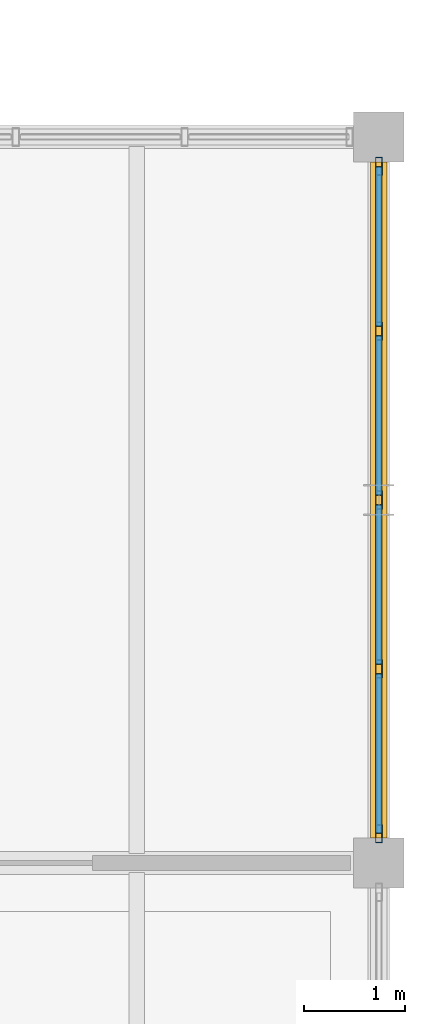
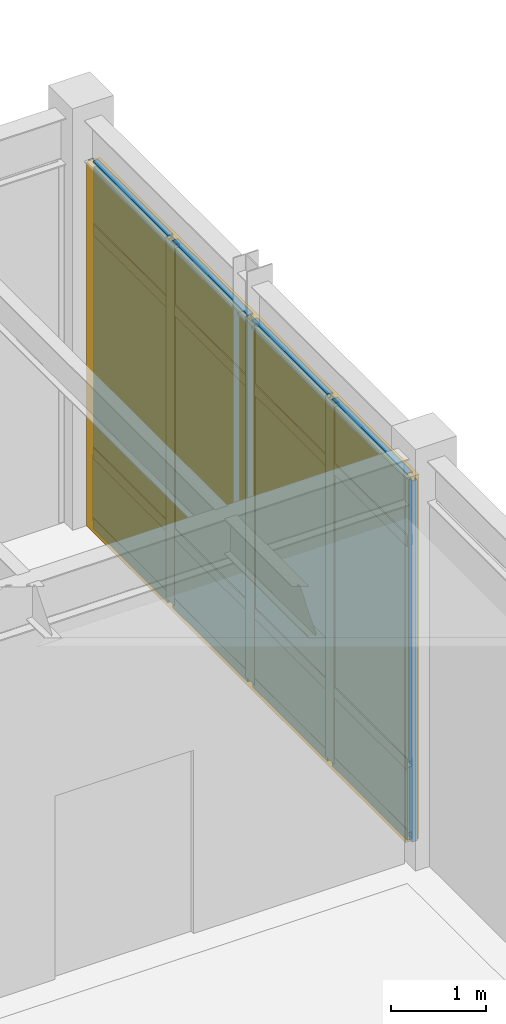
# One storey, part 80 of 97: 21 members, 8 plates, 1 curtain wall.
"""IFC4 building model written with IfcOpenShell, lengths in metres."""

from ifc_helpers import new_model, si_unit, direction, frame, origin, origin_2d, place, context, subcontext, project, spatial, rectangle, hollow_rectangle, extrude, material, layer, layer_set, material_profile, profile_set, type_object, element, aggregate, save


model = new_model("IFC4")

# Units and contexts
model_context = context("Model", 3, precision=1e-05, world=origin(), true_north=direction((0.0, 1.0)))
body_context = subcontext(model_context, "Body", "Model", "MODEL_VIEW")
ifc_project = project(units=[si_unit("LENGTHUNIT", "METRE"), si_unit("AREAUNIT", "SQUARE_METRE"), si_unit("VOLUMEUNIT", "CUBIC_METRE"), si_unit("PLANEANGLEUNIT", "RADIAN"), si_unit("MASSUNIT", "GRAM", prefix="KILO")], contexts=[model_context])

# Member
ifc_material_1 = material(Name="Anodized Aluminium 6063-T6", Category="aluminium")
ifc_material_profile_1 = material_profile(ifc_material_1, hollow_rectangle(XDim=0.06494140625, YDim=0.179931640625, WallThickness=0.00390625, at=origin_2d()), Name="ALU 65x180x4")
ifc_profile_set_1 = profile_set([ifc_material_profile_1], Name="Anodized Aluminium 6063-T6")
member_type_1 = type_object("IfcMemberType", Name="CWM-65X150", PredefinedType="MULLION", material=ifc_profile_set_1)
site_placement = place(None, origin())
building_placement = place(site_placement, origin())
storey_placement = place(building_placement, origin())
member_1_placement = place(storey_placement, frame((172.800048828125, 28.510009765625, 0.02001953125), z_axis=(0.0, 0.0, 1.0), x_axis=(1.0, 0.0, 0.0)))
member_1 = element("IfcMember", 1, at=member_1_placement, type_object=member_type_1, Name="Curtain wall mullion CW-L01-23-03-E-00", PredefinedType="MULLION", context=body_context, shape_type="SweptSolid", body=[
    extrude(hollow_rectangle(XDim=0.06494140625, YDim=0.179931640625, WallThickness=0.00390625, at=origin_2d()), origin(), (0.0, 0.0, 1.0), 4.626953125),
])

member_2_placement = place(storey_placement, frame((172.800048828125, 26.875, 0.02001953125), z_axis=(0.0, 0.0, 1.0), x_axis=(1.0, 0.0, 0.0)))
member_2 = element("IfcMember", 2, at=member_2_placement, type_object=member_type_1, Name="Curtain wall mullion CW-L01-23-03-E-01", PredefinedType="MULLION", context=body_context, shape_type="SweptSolid", body=[
    extrude(hollow_rectangle(XDim=0.06494140625, YDim=0.179931640625, WallThickness=0.00390625, at=origin_2d()), origin(), (0.0, 0.0, 1.0), 4.626953125),
])

member_3_placement = place(storey_placement, frame((172.800048828125, 25.199951171875, 0.02001953125), z_axis=(0.0, 0.0, 1.0), x_axis=(1.0, 0.0, 0.0)))
member_3 = element("IfcMember", 3, at=member_3_placement, type_object=member_type_1, Name="Curtain wall mullion CW-L01-23-03-E-02", PredefinedType="MULLION", context=body_context, shape_type="SweptSolid", body=[
    extrude(hollow_rectangle(XDim=0.06494140625, YDim=0.179931640625, WallThickness=0.00390625, at=origin_2d()), origin(), (0.0, 0.0, 1.0), 4.626953125),
])

member_4_placement = place(storey_placement, frame((172.800048828125, 23.52490234375, 0.02001953125), z_axis=(0.0, 0.0, 1.0), x_axis=(1.0, 0.0, 0.0)))
member_4 = element("IfcMember", 4, at=member_4_placement, type_object=member_type_1, Name="Curtain wall mullion CW-L01-23-03-E-03", PredefinedType="MULLION", context=body_context, shape_type="SweptSolid", body=[
    extrude(hollow_rectangle(XDim=0.06494140625, YDim=0.179931640625, WallThickness=0.00390625, at=origin_2d()), origin(), (0.0, 0.0, 1.0), 4.626953125),
])

member_5_placement = place(storey_placement, frame((172.800048828125, 21.889892578125, 0.02001953125), z_axis=(0.0, 0.0, 1.0), x_axis=(1.0, 0.0, 0.0)))
member_5 = element("IfcMember", 5, at=member_5_placement, type_object=member_type_1, Name="Curtain wall mullion CW-L01-23-03-E-04", PredefinedType="MULLION", context=body_context, shape_type="SweptSolid", body=[
    extrude(hollow_rectangle(XDim=0.06494140625, YDim=0.179931640625, WallThickness=0.00390625, at=origin_2d()), origin(), (0.0, 0.0, 1.0), 4.626953125),
])

ifc_material_profile_2 = material_profile(ifc_material_1, hollow_rectangle(XDim=0.06494140625, YDim=0.139892578125, WallThickness=0.00390625, at=origin_2d()), Name="ALU 65x140x4")
ifc_profile_set_2 = profile_set([ifc_material_profile_2], Name="Anodized Aluminium 6063-T6")
member_type_2 = type_object("IfcMemberType", Name="CWT-65X120", PredefinedType="USERDEFINED", material=ifc_profile_set_2)
member_6_placement = place(storey_placement, frame((172.800048828125, 28.5, 0.050048828125), z_axis=(0.0, -1.0, 0.0), x_axis=(1.0, 0.0, 0.0)))
member_6 = element("IfcMember", 6, at=member_6_placement, type_object=member_type_2, Name="Curtain wall transom CW-L01-23-03-E-1.01", ObjectType="TRANSOM", PredefinedType="USERDEFINED", context=body_context, shape_type="SweptSolid", body=[
    extrude(hollow_rectangle(XDim=0.06494140625, YDim=0.139892578125, WallThickness=0.00390625, at=origin_2d()), origin(), (0.0, 0.0, 1.0), 1.574951171875),
])

member_7_placement = place(storey_placement, frame((172.800048828125, 26.824951171875, 0.050048828125), z_axis=(0.0, -1.0, 0.0), x_axis=(1.0, 0.0, 0.0)))
member_7 = element("IfcMember", 7, at=member_7_placement, type_object=member_type_2, Name="Curtain wall transom CW-L01-23-03-E-1.02", ObjectType="TRANSOM", PredefinedType="USERDEFINED", context=body_context, shape_type="SweptSolid", body=[
    extrude(hollow_rectangle(XDim=0.06494140625, YDim=0.139892578125, WallThickness=0.00390625, at=origin_2d()), origin(), (0.0, 0.0, 1.0), 1.574951171875),
])

member_8_placement = place(storey_placement, frame((172.800048828125, 25.14990234375, 0.050048828125), z_axis=(0.0, -1.0, 0.0), x_axis=(1.0, 0.0, 0.0)))
member_8 = element("IfcMember", 8, at=member_8_placement, type_object=member_type_2, Name="Curtain wall transom CW-L01-23-03-E-1.03", ObjectType="TRANSOM", PredefinedType="USERDEFINED", context=body_context, shape_type="SweptSolid", body=[
    extrude(hollow_rectangle(XDim=0.06494140625, YDim=0.139892578125, WallThickness=0.00390625, at=origin_2d()), origin(), (0.0, 0.0, 1.0), 1.574951171875),
])

member_9_placement = place(storey_placement, frame((172.800048828125, 23.47509765625, 0.050048828125), z_axis=(0.0, -1.0, 0.0), x_axis=(1.0, 0.0, 0.0)))
member_9 = element("IfcMember", 9, at=member_9_placement, type_object=member_type_2, Name="Curtain wall transom CW-L01-23-03-E-1.04", ObjectType="TRANSOM", PredefinedType="USERDEFINED", context=body_context, shape_type="SweptSolid", body=[
    extrude(hollow_rectangle(XDim=0.06494140625, YDim=0.139892578125, WallThickness=0.00390625, at=origin_2d()), origin(), (0.0, 0.0, 1.0), 1.5751953125),
])

member_10_placement = place(storey_placement, frame((172.800048828125, 28.5, 0.949951171875), z_axis=(0.0, -1.0, 0.0), x_axis=(1.0, 0.0, 0.0)))
member_10 = element("IfcMember", 10, at=member_10_placement, type_object=member_type_2, Name="Curtain wall transom CW-L01-23-03-E-2.01", ObjectType="TRANSOM", PredefinedType="USERDEFINED", context=body_context, shape_type="SweptSolid", body=[
    extrude(hollow_rectangle(XDim=0.06494140625, YDim=0.139892578125, WallThickness=0.00390625, at=origin_2d()), origin(), (0.0, 0.0, 1.0), 1.574951171875),
])

member_11_placement = place(storey_placement, frame((172.800048828125, 26.824951171875, 0.949951171875), z_axis=(0.0, -1.0, 0.0), x_axis=(1.0, 0.0, 0.0)))
member_11 = element("IfcMember", 11, at=member_11_placement, type_object=member_type_2, Name="Curtain wall transom CW-L01-23-03-E-2.02", ObjectType="TRANSOM", PredefinedType="USERDEFINED", context=body_context, shape_type="SweptSolid", body=[
    extrude(hollow_rectangle(XDim=0.06494140625, YDim=0.139892578125, WallThickness=0.00390625, at=origin_2d()), origin(), (0.0, 0.0, 1.0), 1.574951171875),
])

member_12_placement = place(storey_placement, frame((172.800048828125, 25.14990234375, 0.949951171875), z_axis=(0.0, -1.0, 0.0), x_axis=(1.0, 0.0, 0.0)))
member_12 = element("IfcMember", 12, at=member_12_placement, type_object=member_type_2, Name="Curtain wall transom CW-L01-23-03-E-2.03", ObjectType="TRANSOM", PredefinedType="USERDEFINED", context=body_context, shape_type="SweptSolid", body=[
    extrude(hollow_rectangle(XDim=0.06494140625, YDim=0.139892578125, WallThickness=0.00390625, at=origin_2d()), origin(), (0.0, 0.0, 1.0), 1.574951171875),
])

member_13_placement = place(storey_placement, frame((172.800048828125, 23.47509765625, 0.949951171875), z_axis=(0.0, -1.0, 0.0), x_axis=(1.0, 0.0, 0.0)))
member_13 = element("IfcMember", 13, at=member_13_placement, type_object=member_type_2, Name="Curtain wall transom CW-L01-23-03-E-2.04", ObjectType="TRANSOM", PredefinedType="USERDEFINED", context=body_context, shape_type="SweptSolid", body=[
    extrude(hollow_rectangle(XDim=0.06494140625, YDim=0.139892578125, WallThickness=0.00390625, at=origin_2d()), origin(), (0.0, 0.0, 1.0), 1.5751953125),
])

member_14_placement = place(storey_placement, frame((172.800048828125, 28.5, 3.81689453125), z_axis=(0.0, -1.0, 0.0), x_axis=(1.0, 0.0, 0.0)))
member_14 = element("IfcMember", 14, at=member_14_placement, type_object=member_type_2, Name="Curtain wall transom CW-L01-23-03-E-3.01", ObjectType="TRANSOM", PredefinedType="USERDEFINED", context=body_context, shape_type="SweptSolid", body=[
    extrude(hollow_rectangle(XDim=0.06494140625, YDim=0.139892578125, WallThickness=0.00390625, at=origin_2d()), origin(), (0.0, 0.0, 1.0), 1.574951171875),
])

member_15_placement = place(storey_placement, frame((172.800048828125, 26.824951171875, 3.81689453125), z_axis=(0.0, -1.0, 0.0), x_axis=(1.0, 0.0, 0.0)))
member_15 = element("IfcMember", 15, at=member_15_placement, type_object=member_type_2, Name="Curtain wall transom CW-L01-23-03-E-3.02", ObjectType="TRANSOM", PredefinedType="USERDEFINED", context=body_context, shape_type="SweptSolid", body=[
    extrude(hollow_rectangle(XDim=0.06494140625, YDim=0.139892578125, WallThickness=0.00390625, at=origin_2d()), origin(), (0.0, 0.0, 1.0), 1.574951171875),
])

member_16_placement = place(storey_placement, frame((172.800048828125, 25.14990234375, 3.81689453125), z_axis=(0.0, -1.0, 0.0), x_axis=(1.0, 0.0, 0.0)))
member_16 = element("IfcMember", 16, at=member_16_placement, type_object=member_type_2, Name="Curtain wall transom CW-L01-23-03-E-3.03", ObjectType="TRANSOM", PredefinedType="USERDEFINED", context=body_context, shape_type="SweptSolid", body=[
    extrude(hollow_rectangle(XDim=0.06494140625, YDim=0.139892578125, WallThickness=0.00390625, at=origin_2d()), origin(), (0.0, 0.0, 1.0), 1.574951171875),
])

member_17_placement = place(storey_placement, frame((172.800048828125, 23.47509765625, 3.81689453125), z_axis=(0.0, -1.0, 0.0), x_axis=(1.0, 0.0, 0.0)))
member_17 = element("IfcMember", 17, at=member_17_placement, type_object=member_type_2, Name="Curtain wall transom CW-L01-23-03-E-3.04", ObjectType="TRANSOM", PredefinedType="USERDEFINED", context=body_context, shape_type="SweptSolid", body=[
    extrude(hollow_rectangle(XDim=0.06494140625, YDim=0.139892578125, WallThickness=0.00390625, at=origin_2d()), origin(), (0.0, 0.0, 1.0), 1.5751953125),
])

member_18_placement = place(storey_placement, frame((172.800048828125, 28.5, 4.616943359375), z_axis=(0.0, -1.0, 0.0), x_axis=(1.0, 0.0, 0.0)))
member_18 = element("IfcMember", 18, at=member_18_placement, type_object=member_type_2, Name="Curtain wall transom CW-L01-23-03-E-4.01", ObjectType="TRANSOM", PredefinedType="USERDEFINED", context=body_context, shape_type="SweptSolid", body=[
    extrude(hollow_rectangle(XDim=0.06494140625, YDim=0.139892578125, WallThickness=0.00390625, at=origin_2d()), origin(), (0.0, 0.0, 1.0), 1.574951171875),
])

member_19_placement = place(storey_placement, frame((172.800048828125, 26.824951171875, 4.616943359375), z_axis=(0.0, -1.0, 0.0), x_axis=(1.0, 0.0, 0.0)))
member_19 = element("IfcMember", 19, at=member_19_placement, type_object=member_type_2, Name="Curtain wall transom CW-L01-23-03-E-4.02", ObjectType="TRANSOM", PredefinedType="USERDEFINED", context=body_context, shape_type="SweptSolid", body=[
    extrude(hollow_rectangle(XDim=0.06494140625, YDim=0.139892578125, WallThickness=0.00390625, at=origin_2d()), origin(), (0.0, 0.0, 1.0), 1.574951171875),
])

member_20_placement = place(storey_placement, frame((172.800048828125, 25.14990234375, 4.616943359375), z_axis=(0.0, -1.0, 0.0), x_axis=(1.0, 0.0, 0.0)))
member_20 = element("IfcMember", 20, at=member_20_placement, type_object=member_type_2, Name="Curtain wall transom CW-L01-23-03-E-4.03", ObjectType="TRANSOM", PredefinedType="USERDEFINED", context=body_context, shape_type="SweptSolid", body=[
    extrude(hollow_rectangle(XDim=0.06494140625, YDim=0.139892578125, WallThickness=0.00390625, at=origin_2d()), origin(), (0.0, 0.0, 1.0), 1.574951171875),
])

member_21_placement = place(storey_placement, frame((172.800048828125, 23.47509765625, 4.616943359375), z_axis=(0.0, -1.0, 0.0), x_axis=(1.0, 0.0, 0.0)))
member_21 = element("IfcMember", 21, at=member_21_placement, type_object=member_type_2, Name="Curtain wall transom CW-L01-23-03-E-4.04", ObjectType="TRANSOM", PredefinedType="USERDEFINED", context=body_context, shape_type="SweptSolid", body=[
    extrude(hollow_rectangle(XDim=0.06494140625, YDim=0.139892578125, WallThickness=0.00390625, at=origin_2d()), origin(), (0.0, 0.0, 1.0), 1.5751953125),
])

# Plate
ifc_material_2 = material(Name="Double Low-E Insulated Glazing Unit", Category="glass")
ifc_layer_1 = layer(ifc_material_2, 0.0380859375)
ifc_layer_set_1 = layer_set([ifc_layer_1], Name="Double Low-E Insulated Glazing Unit")
plate_type_1 = type_object("IfcPlateType", Name="CWP-IGU-38", PredefinedType="CURTAIN_PANEL", material=ifc_layer_set_1)
plate_1_placement = place(storey_placement, frame((172.800048828125, 27.71240234375, 0.990234375), z_axis=(0.0, 0.0, 1.0), x_axis=(0.0, -1.0, 0.0)))
plate_1 = element("IfcPlate", 22, at=plate_1_placement, type_object=plate_type_1, Name="Curtain wall vision glazing CW-L01-23-03-E-01", PredefinedType="CURTAIN_PANEL", context=body_context, shape_type="SweptSolid", body=[
    extrude(rectangle(XDim=1.5849609375, YDim=0.0400390625, at=origin_2d()), origin(), (0.0, 0.0, 1.0), 3.616943359375),
])

plate_2_placement = place(storey_placement, frame((172.800048828125, 26.03759765625, 0.990234375), z_axis=(0.0, 0.0, 1.0), x_axis=(0.0, -1.0, 0.0)))
plate_2 = element("IfcPlate", 23, at=plate_2_placement, type_object=plate_type_1, Name="Curtain wall vision glazing CW-L01-23-03-E-02", PredefinedType="CURTAIN_PANEL", context=body_context, shape_type="SweptSolid", body=[
    extrude(rectangle(XDim=1.5849609375, YDim=0.0400390625, at=origin_2d()), origin(), (0.0, 0.0, 1.0), 3.616943359375),
])

plate_3_placement = place(storey_placement, frame((172.800048828125, 24.362548828125, 0.990234375), z_axis=(0.0, 0.0, 1.0), x_axis=(0.0, -1.0, 0.0)))
plate_3 = element("IfcPlate", 24, at=plate_3_placement, type_object=plate_type_1, Name="Curtain wall vision glazing CW-L01-23-03-E-03", PredefinedType="CURTAIN_PANEL", context=body_context, shape_type="SweptSolid", body=[
    extrude(rectangle(XDim=1.5849609375, YDim=0.0400390625, at=origin_2d()), origin(), (0.0, 0.0, 1.0), 3.616943359375),
])

plate_4_placement = place(storey_placement, frame((172.800048828125, 22.6875, 0.990234375), z_axis=(0.0, 0.0, 1.0), x_axis=(0.0, -1.0, 0.0)))
plate_4 = element("IfcPlate", 25, at=plate_4_placement, type_object=plate_type_1, Name="Curtain wall vision glazing CW-L01-23-03-E-04", PredefinedType="CURTAIN_PANEL", context=body_context, shape_type="SweptSolid", body=[
    extrude(rectangle(XDim=1.5849609375, YDim=0.0400390625, at=origin_2d()), origin(), (0.0, 0.0, 1.0), 3.616943359375),
])

ifc_material_3 = material(Name="Insulated Bronze Aluminium Spandrel", Category="aluminium")
ifc_layer_2 = layer(ifc_material_3, 0.06005859375)
ifc_layer_set_2 = layer_set([ifc_layer_2], Name="Insulated Bronze Aluminium Spandrel")
plate_type_2 = type_object("IfcPlateType", Name="CWP-SPN-60", PredefinedType="CURTAIN_PANEL", material=ifc_layer_set_2)
plate_5_placement = place(storey_placement, frame((172.800048828125, 27.71240234375, 0.080078125), z_axis=(0.0, 0.0, 1.0), x_axis=(0.0, -1.0, 0.0)))
plate_5 = element("IfcPlate", 26, at=plate_5_placement, type_object=plate_type_2, Name="Curtain wall spandrel panel CW-L01-23-03-E-01", PredefinedType="CURTAIN_PANEL", context=body_context, shape_type="SweptSolid", body=[
    extrude(rectangle(XDim=1.5849609375, YDim=0.06005859375, at=origin_2d()), origin(), (0.0, 0.0, 1.0), 0.840087890625),
])

plate_6_placement = place(storey_placement, frame((172.800048828125, 26.03759765625, 0.080078125), z_axis=(0.0, 0.0, 1.0), x_axis=(0.0, -1.0, 0.0)))
plate_6 = element("IfcPlate", 27, at=plate_6_placement, type_object=plate_type_2, Name="Curtain wall spandrel panel CW-L01-23-03-E-02", PredefinedType="CURTAIN_PANEL", context=body_context, shape_type="SweptSolid", body=[
    extrude(rectangle(XDim=1.5849609375, YDim=0.06005859375, at=origin_2d()), origin(), (0.0, 0.0, 1.0), 0.840087890625),
])

plate_7_placement = place(storey_placement, frame((172.800048828125, 24.362548828125, 0.080078125), z_axis=(0.0, 0.0, 1.0), x_axis=(0.0, -1.0, 0.0)))
plate_7 = element("IfcPlate", 28, at=plate_7_placement, type_object=plate_type_2, Name="Curtain wall spandrel panel CW-L01-23-03-E-03", PredefinedType="CURTAIN_PANEL", context=body_context, shape_type="SweptSolid", body=[
    extrude(rectangle(XDim=1.5849609375, YDim=0.06005859375, at=origin_2d()), origin(), (0.0, 0.0, 1.0), 0.840087890625),
])

plate_8_placement = place(storey_placement, frame((172.800048828125, 22.6875, 0.080078125), z_axis=(0.0, 0.0, 1.0), x_axis=(0.0, -1.0, 0.0)))
plate_8 = element("IfcPlate", 29, at=plate_8_placement, type_object=plate_type_2, Name="Curtain wall spandrel panel CW-L01-23-03-E-04", PredefinedType="CURTAIN_PANEL", context=body_context, shape_type="SweptSolid", body=[
    extrude(rectangle(XDim=1.5849609375, YDim=0.06005859375, at=origin_2d()), origin(), (0.0, 0.0, 1.0), 0.840087890625),
])

# Site, building, storey
site = spatial("IfcSite", under=ifc_project, at=site_placement, CompositionType="ELEMENT")
building = spatial("IfcBuilding", under=site, at=building_placement, Name="Sillqori Civic Hall", CompositionType="ELEMENT")
storey = spatial("IfcBuildingStorey", under=building, at=storey_placement, Name="L01", CompositionType="ELEMENT", Elevation=0.0)

# Curtain wall
ifc_material_4 = material(Name="Anodized Aluminium Curtain Wall System", Category="aluminium")
curtain_wall_type = type_object("IfcCurtainWallType", Name="CW-SF-540", PredefinedType="NOTDEFINED", material=ifc_material_4)
curtain_wall_placement = place(storey_placement, frame((172.800048828125, 25.199951171875, 0.0), z_axis=(0.0, 0.0, 1.0), x_axis=(0.0, -1.0, 0.0)))
curtain_wall = element("IfcCurtainWall", 30, at=curtain_wall_placement, inside=storey, type_object=curtain_wall_type, Name="L01 unitised curtain wall CW-L01-23-03-E", PredefinedType="NOTDEFINED", context=body_context, shape_type="SweptSolid", body=[
    extrude(rectangle(XDim=6.699951171875, YDim=0.159912109375, at=origin_2d()), origin(), (0.0, 0.0, 1.0), 4.6669921875),
])

aggregate(curtain_wall, [member_1, member_2, member_3, member_4, member_5, member_6, member_7, member_8, member_9, member_10, member_11, member_12, member_13, member_14, member_15, member_16, member_17, member_18, member_19, member_20, member_21, plate_5, plate_1, plate_6, plate_2, plate_7, plate_3, plate_8, plate_4])

save(model, "model.ifc")
